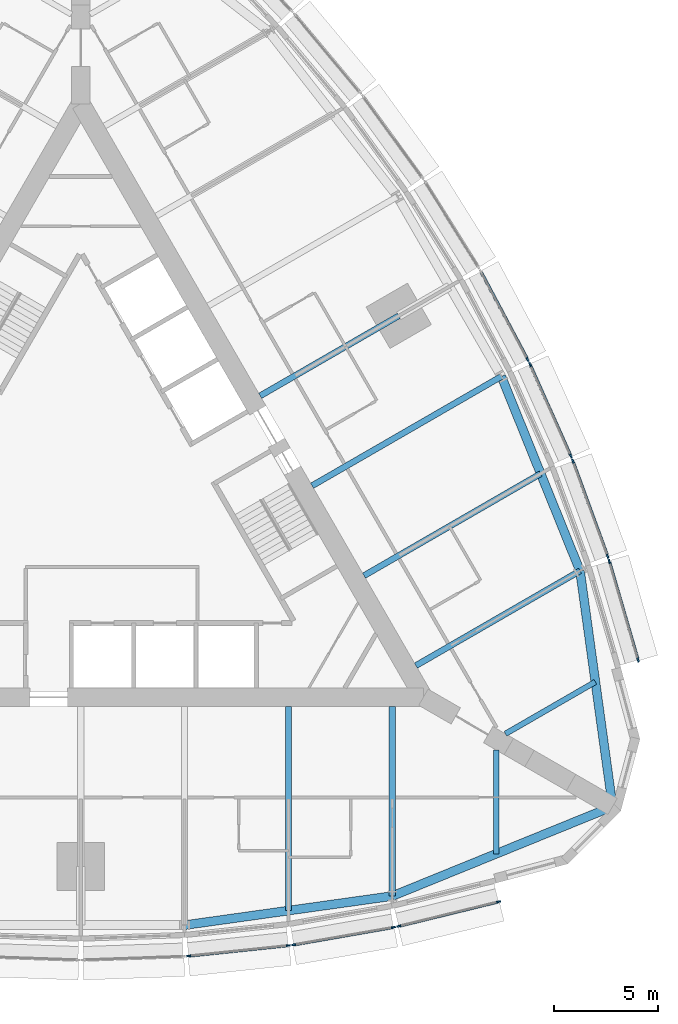
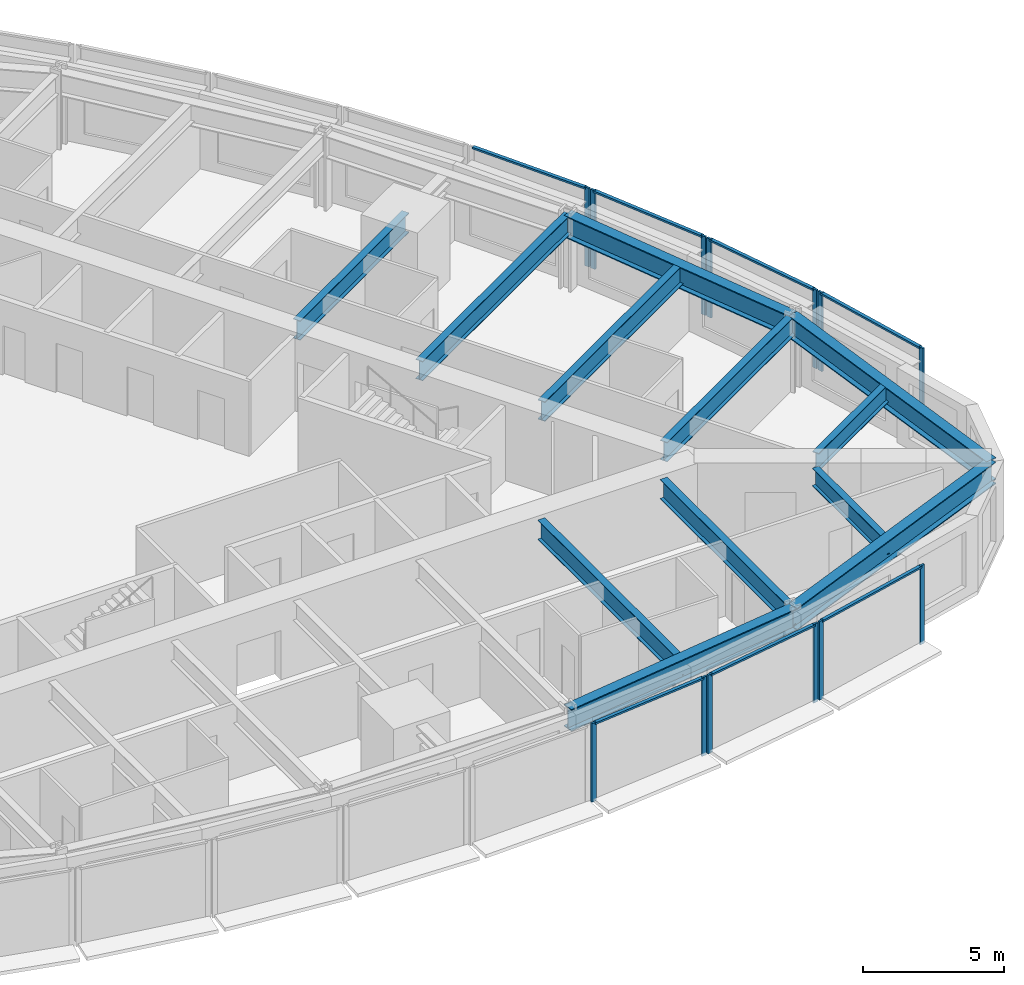
# One storey, part 3 of 14: 20 members, 12 beams, 7 elements without a shape of their own.
"""IFC4 building model written with IfcOpenShell, lengths in metres."""

import ifcopenshell
import ifcopenshell.guid

model = None  # the IFC model being written
_history = None  # IfcOwnerHistory: only IFC2X3 demands one
_inside = {}  # id of a spatial element -> (the spatial element, [elements in it])
_under = {}  # id of a project, library or spatial element -> (it, [spatial elements below it])
_declared = {}  # id of a project -> (the project, [libraries it declares])
_typed = {}  # id of a type object -> (the type object, [elements of that type])
_made_of = {}  # id of a material, layer set ... -> (it, [elements and type objects made of it])


def new_model(schema):
    """Start an empty IFC model of exactly this schema.

    Asked for "IFC4X3", IfcOpenShell would pick the latest addendum, in which some entities
    have other attributes; the version numbers below select the first issue.
    IFC2X3 requires an IfcOwnerHistory on every rooted entity: one is made here for all.
    """
    global model, _history
    if schema == "IFC4X3":
        model = ifcopenshell.file(schema_version=(4, 3, 0, 0))
    else:
        model = ifcopenshell.file(schema=schema)
    _inside.clear()
    _under.clear()
    _declared.clear()
    _typed.clear()
    _made_of.clear()
    _history = None
    if model.schema == "IFC2X3":
        org = make("IfcOrganization", Name="unknown")
        user = make(
            "IfcPersonAndOrganization",
            ThePerson=make("IfcPerson", FamilyName="unknown"),
            TheOrganization=org,
        )
        app = make(
            "IfcApplication",
            ApplicationDeveloper=org,
            Version="unknown",
            ApplicationFullName="unknown",
            ApplicationIdentifier="unknown",
        )
        _history = make(
            "IfcOwnerHistory",
            OwningUser=user,
            OwningApplication=app,
            ChangeAction="ADDED",
            CreationDate=0,
        )
    return model


def make(cls, **values):
    """One entity of the class cls with the attributes given. An attribute that is None is left unset."""
    return model.create_entity(
        cls, **{name: value for name, value in values.items() if value is not None}
    )


def rooted(cls, **values):
    """An entity with a GlobalId (a new one), such as an element, a storey or a relation."""
    return make(cls, GlobalId=ifcopenshell.guid.new(), OwnerHistory=_history, **values)


def si_unit(unit_type, name, prefix=None):
    """IfcSIUnit, for example si_unit("LENGTHUNIT", "METRE", prefix="MILLI")."""
    return make("IfcSIUnit", UnitType=unit_type, Prefix=prefix, Name=name)


def assignment(units):
    """IfcUnitAssignment: the units of a project."""
    return None if units is None else make("IfcUnitAssignment", Units=units)


def point(xyz):
    """IfcCartesianPoint."""
    return None if xyz is None else make("IfcCartesianPoint", Coordinates=xyz)


def direction(xyz):
    """IfcDirection."""
    return None if xyz is None else make("IfcDirection", DirectionRatios=xyz)


def frame(location, z_axis=None, x_axis=None):
    """IfcAxis2Placement3D, a coordinate frame: its origin and axes. An axis left out is left unset."""
    return make(
        "IfcAxis2Placement3D",
        Location=point(location),
        Axis=direction(z_axis),
        RefDirection=direction(x_axis),
    )


def frame_2d(location, x_axis=None):
    """IfcAxis2Placement2D, a coordinate frame in the plane: its origin and x axis."""
    return make(
        "IfcAxis2Placement2D", Location=point(location), RefDirection=direction(x_axis)
    )


def origin():
    """The frame at (0, 0, 0) with its axes left unset."""
    return frame((0.0, 0.0, 0.0))


def origin_2d():
    """The frame at (0, 0) in the plane with its x axis left unset."""
    return frame_2d((0.0, 0.0))


def place(relative_to, where):
    """IfcLocalPlacement: puts the frame where relative to a parent placement (None: the world)."""
    return make(
        "IfcLocalPlacement", PlacementRelTo=relative_to, RelativePlacement=where
    )


def context(
    kind, dimensions, precision=None, world=None, true_north=None, identifier=None
):
    """IfcGeometricRepresentationContext, for example the 3D "Model" context."""
    return make(
        "IfcGeometricRepresentationContext",
        ContextIdentifier=identifier,
        ContextType=kind,
        CoordinateSpaceDimension=dimensions,
        Precision=precision,
        WorldCoordinateSystem=world,
        TrueNorth=true_north,
    )


def subcontext(parent, identifier, kind, view, scale=None):
    """IfcGeometricRepresentationSubContext, for example "Body" below "Model"."""
    return make(
        "IfcGeometricRepresentationSubContext",
        ContextIdentifier=identifier,
        ContextType=kind,
        ParentContext=parent,
        TargetScale=scale,
        TargetView=view,
    )


def project(units=None, contexts=None):
    """IfcProject with its units and contexts."""
    return rooted(
        "IfcProject",
        Name="project",
        RepresentationContexts=contexts,
        UnitsInContext=assignment(units),
    )


def spatial(cls, under=None, at=None, **own):
    """A site, building, storey or space (cls), placed at a placement, below another one or the project."""
    s = rooted(cls, ObjectPlacement=at, **own)
    if under is not None:
        _under.setdefault(under.id(), (under, []))[1].append(s)
    return s


def profile(cls, at=None, kind="AREA", **sizes):
    """A parametric profile (cls). Its sizes go by their IFC names, for example OverallWidth=200.0."""
    return make(cls, ProfileType=kind, Position=at, **sizes)


def rectangle(**sizes):
    """IfcRectangleProfileDef."""
    return profile("IfcRectangleProfileDef", **sizes)


def i_section(**sizes):
    """IfcIShapeProfileDef."""
    return profile("IfcIShapeProfileDef", **sizes)


def extrude(swept, where, along, depth):
    """IfcExtrudedAreaSolid: the profile swept, set in the frame where, extruded along a direction by depth."""
    return make(
        "IfcExtrudedAreaSolid",
        SweptArea=swept,
        Position=where,
        ExtrudedDirection=direction(along),
        Depth=depth,
    )


def shape(context_of_items, identifier, shape_type, items):
    """IfcShapeRepresentation: the items that make up one representation, for example the "Body"."""
    return make(
        "IfcShapeRepresentation",
        ContextOfItems=context_of_items,
        RepresentationIdentifier=identifier,
        RepresentationType=shape_type,
        Items=items,
    )


def material(Name=None, Category=None):
    """IfcMaterial."""
    return make("IfcMaterial", Name=Name, Category=Category)


def material_profile(
    of_material, cross_section, Name=None, Category=None, Priority=None
):
    """IfcMaterialProfile: a cross section and its material."""
    return make(
        "IfcMaterialProfile",
        Name=Name,
        Material=of_material,
        Profile=cross_section,
        Priority=Priority,
        Category=Category,
    )


def profile_set(profiles, Name=None, composite=None):
    """IfcMaterialProfileSet."""
    return make(
        "IfcMaterialProfileSet",
        Name=Name,
        MaterialProfiles=profiles,
        CompositeProfile=composite,
    )


def made_of(thing, what):
    """Note that an element or type object is made of a material, layer set ...; save() writes the relation."""
    if what is not None:
        _made_of.setdefault(what.id(), (what, []))[1].append(thing)
    return thing


def type_object(cls, material=None, **own):
    """A type object (cls), such as IfcWallType, which elements share."""
    return made_of(rooted(cls, **own), material)


def element(
    cls,
    number,
    at=None,
    inside=None,
    cuts=None,
    type_object=None,
    material=None,
    context=None,
    identifier="Body",
    shape_type=None,
    held_by="IfcProductDefinitionShape",
    body=None,
    shapes=None,
    **own,
):
    """One element of the class cls, such as IfcWall. Its Tag is "e" and its number.

    at: its placement. inside: the storey or other place that contains it. cuts: it is an
    opening in that element (IfcRelVoidsElement). A single representation is given by context,
    identifier, shape_type and body (its items); several are given by shapes. held_by: the class
    of the entity that holds the representations. save() writes the other relations.
    """
    e = rooted(cls, Tag="e%d" % number, ObjectPlacement=at, **own)
    if body is not None:
        shapes = [shape(context, identifier, shape_type, body)]
    if shapes is not None:
        e.Representation = make(held_by, Representations=shapes)
    if inside is not None:
        _inside.setdefault(inside.id(), (inside, []))[1].append(e)
    if cuts is not None:
        rooted(
            "IfcRelVoidsElement", RelatingBuildingElement=cuts, RelatedOpeningElement=e
        )
    if type_object is not None:
        _typed.setdefault(type_object.id(), (type_object, []))[1].append(e)
    return made_of(e, material)


def aggregate(whole, parts):
    """IfcRelAggregates: a whole, such as a stair, and the parts it consists of."""
    return rooted("IfcRelAggregates", RelatingObject=whole, RelatedObjects=parts)


def save(model, path):
    """Write the relations noted so far, then the file.

    IfcRelAggregates (storeys below a building ...), IfcRelContainedInSpatialStructure (elements
    in a storey), IfcRelDefinesByType, IfcRelAssociatesMaterial and IfcRelDeclares: one each for
    every whole, place, type object, material and project.
    """
    for whole, parts in _under.values():
        aggregate(whole, parts)
    for where, things in _inside.values():
        rooted(
            "IfcRelContainedInSpatialStructure",
            RelatedElements=things,
            RelatingStructure=where,
        )
    for kind, things in _typed.values():
        rooted("IfcRelDefinesByType", RelatedObjects=things, RelatingType=kind)
    for what, things in _made_of.values():
        rooted("IfcRelAssociatesMaterial", RelatedObjects=things, RelatingMaterial=what)
    for by, libraries in _declared.values():
        rooted("IfcRelDeclares", RelatingContext=by, RelatedDefinitions=libraries)
    model.write(path)


model = new_model("IFC4")

# Units and contexts
model_context = context("Model", 3, precision=1e-05, world=origin(), true_north=direction((0.0, 1.0)))
body_context = subcontext(model_context, "Body", "Model", "MODEL_VIEW")
ifc_project = project(units=[si_unit("LENGTHUNIT", "METRE"), si_unit("AREAUNIT", "SQUARE_METRE"), si_unit("VOLUMEUNIT", "CUBIC_METRE"), si_unit("PLANEANGLEUNIT", "RADIAN"), si_unit("MASSUNIT", "GRAM", prefix="KILO")], contexts=[model_context])

# Site, building, storey
site_placement = place(None, origin())
site = spatial("IfcSite", under=ifc_project, at=site_placement, CompositionType="ELEMENT")
building_placement = place(site_placement, origin())
building = spatial("IfcBuilding", under=site, at=building_placement, Name="Trikona Tower", CompositionType="ELEMENT")
storey_placement = place(building_placement, frame((0.0, 0.0, 162.300048828125)))
storey = spatial("IfcBuildingStorey", under=building, at=storey_placement, Name="L43", CompositionType="ELEMENT", Elevation=162.300048828125)

# Curtain wall, members
ifc_material_1 = material(Name="Aluminium curtain wall system", Category="aluminium")
curtain_wall_type = type_object("IfcCurtainWallType", Name="Curtain wall DS2", PredefinedType="NOTDEFINED", material=ifc_material_1)
curtain_wall_1_placement = place(storey_placement, origin())
curtain_wall_1 = element("IfcCurtainWall", 1, at=curtain_wall_1_placement, inside=storey, type_object=curtain_wall_type, Name="Curtain wall DS2 L43", PredefinedType="NOTDEFINED")
ifc_material_2 = material(Name="Aluminium mullion, pale anodised", Category="aluminium")
ifc_material_profile_1 = material_profile(ifc_material_2, rectangle(XDim=0.080078125, YDim=0.199951171875, at=origin_2d()), Name="MUL-DS2")
ifc_profile_set_1 = profile_set([ifc_material_profile_1], Name="Aluminium mullion, pale anodised")
member_type_1 = type_object("IfcMemberType", Name="Mullion DS2 80x200", PredefinedType="MULLION", material=ifc_profile_set_1)
member_1_placement = place(storey_placement, frame((5.193359375, -21.98486328125, 0.0), z_axis=(0.0, 0.0, 1.0), x_axis=(-0.104433387357, 0.994531883654, 0.0)))
member_1 = element("IfcMember", 2, at=member_1_placement, type_object=member_type_1, Name="CW-DS2 mullion 1", PredefinedType="MULLION", context=body_context, shape_type="SweptSolid", body=[
    extrude(rectangle(XDim=0.080078125, YDim=0.199951171875, at=origin_2d()), origin(), (0.0, 0.0, 1.0), 3.39990234375),
])
member_2_placement = place(storey_placement, frame((9.99462890625, -21.480712890625, 0.0), z_axis=(0.0, 0.0, 1.0), x_axis=(-0.104433387357, 0.994531883654, 0.0)))
member_2 = element("IfcMember", 3, at=member_2_placement, type_object=member_type_1, Name="CW-DS2 mullion 2", PredefinedType="MULLION", context=body_context, shape_type="SweptSolid", body=[
    extrude(rectangle(XDim=0.080078125, YDim=0.199951171875, at=origin_2d()), origin(), (0.0, 0.0, 1.0), 3.39990234375),
])

curtain_wall_2_placement = place(storey_placement, origin())
curtain_wall_2 = element("IfcCurtainWall", 4, at=curtain_wall_2_placement, inside=storey, type_object=curtain_wall_type, Name="Curtain wall DS2 L43", PredefinedType="NOTDEFINED")
member_3_placement = place(storey_placement, frame((10.253662109375, -21.444580078125, 0.0), z_axis=(0.0, 0.0, 1.0), x_axis=(-0.17237739505, 0.985030981074, 0.0)))
member_3 = element("IfcMember", 5, at=member_3_placement, type_object=member_type_1, Name="CW-DS2 mullion 1", PredefinedType="MULLION", context=body_context, shape_type="SweptSolid", body=[
    extrude(rectangle(XDim=0.080078125, YDim=0.199951171875, at=origin_2d()), origin(), (0.0, 0.0, 1.0), 3.39990234375),
])
member_4_placement = place(storey_placement, frame((15.056640625, -20.60400390625, 0.0), z_axis=(0.0, 0.0, 1.0), x_axis=(-0.17237739505, 0.985030981074, 0.0)))
member_4 = element("IfcMember", 6, at=member_4_placement, type_object=member_type_1, Name="CW-DS2 mullion 2", PredefinedType="MULLION", context=body_context, shape_type="SweptSolid", body=[
    extrude(rectangle(XDim=0.080078125, YDim=0.199951171875, at=origin_2d()), origin(), (0.0, 0.0, 1.0), 3.39990234375),
])

curtain_wall_3_placement = place(storey_placement, origin())
curtain_wall_3 = element("IfcCurtainWall", 7, at=curtain_wall_3_placement, inside=storey, type_object=curtain_wall_type, Name="Curtain wall DS2 L43", PredefinedType="NOTDEFINED")
member_5_placement = place(storey_placement, frame((15.311279296875, -20.550537109375, 0.0), z_axis=(0.0, 0.0, 1.0), x_axis=(-0.237970204243, 0.971272455026, 0.0)))
member_5 = element("IfcMember", 8, at=member_5_placement, type_object=member_type_1, Name="CW-DS2 mullion 1", PredefinedType="MULLION", context=body_context, shape_type="SweptSolid", body=[
    extrude(rectangle(XDim=0.080078125, YDim=0.199951171875, at=origin_2d()), origin(), (0.0, 0.0, 1.0), 3.39990234375),
])
member_6_placement = place(storey_placement, frame((20.116943359375, -19.373046875, 0.0), z_axis=(0.0, 0.0, 1.0), x_axis=(-0.237970204243, 0.971272455026, 0.0)))
member_6 = element("IfcMember", 9, at=member_6_placement, type_object=member_type_1, Name="CW-DS2 mullion 2", PredefinedType="MULLION", context=body_context, shape_type="SweptSolid", body=[
    extrude(rectangle(XDim=0.080078125, YDim=0.199951171875, at=origin_2d()), origin(), (0.0, 0.0, 1.0), 3.39990234375),
])

curtain_wall_4_placement = place(storey_placement, origin())
curtain_wall_4 = element("IfcCurtainWall", 10, at=curtain_wall_4_placement, inside=storey, type_object=curtain_wall_type, Name="Curtain wall DS2 L43", PredefinedType="NOTDEFINED")
member_7_placement = place(storey_placement, frame((26.836181640625, -7.7353515625, 0.0), z_axis=(0.0, 0.0, 1.0), x_axis=(-0.96013310152, -0.279543247757, 0.0)))
member_7 = element("IfcMember", 11, at=member_7_placement, type_object=member_type_1, Name="CW-DS2 mullion 1", PredefinedType="MULLION", context=body_context, shape_type="SweptSolid", body=[
    extrude(rectangle(XDim=0.080078125, YDim=0.199951171875, at=origin_2d()), origin(), (0.0, 0.0, 1.0), 3.39990234375),
])
member_8_placement = place(storey_placement, frame((25.452880859375, -2.984619140625, 0.0), z_axis=(0.0, 0.0, 1.0), x_axis=(-0.96013310152, -0.279543247757, 0.0)))
member_8 = element("IfcMember", 12, at=member_8_placement, type_object=member_type_1, Name="CW-DS2 mullion 2", PredefinedType="MULLION", context=body_context, shape_type="SweptSolid", body=[
    extrude(rectangle(XDim=0.080078125, YDim=0.199951171875, at=origin_2d()), origin(), (0.0, 0.0, 1.0), 3.39990234375),
])

curtain_wall_5_placement = place(storey_placement, origin())
curtain_wall_5 = element("IfcCurtainWall", 13, at=curtain_wall_5_placement, inside=storey, type_object=curtain_wall_type, Name="Curtain wall DS2 L43", PredefinedType="NOTDEFINED")
member_9_placement = place(storey_placement, frame((25.371826171875, -2.737548828125, 0.0), z_axis=(0.0, 0.0, 1.0), x_axis=(-0.939253790978, -0.343223420143, 0.0)))
member_9 = element("IfcMember", 14, at=member_9_placement, type_object=member_type_1, Name="CW-DS2 mullion 1", PredefinedType="MULLION", context=body_context, shape_type="SweptSolid", body=[
    extrude(rectangle(XDim=0.080078125, YDim=0.199951171875, at=origin_2d()), origin(), (0.0, 0.0, 1.0), 3.39990234375),
])
member_10_placement = place(storey_placement, frame((23.6982421875, 1.84228515625, 0.0), z_axis=(0.0, 0.0, 1.0), x_axis=(-0.939253790978, -0.343223420143, 0.0)))
member_10 = element("IfcMember", 15, at=member_10_placement, type_object=member_type_1, Name="CW-DS2 mullion 2", PredefinedType="MULLION", context=body_context, shape_type="SweptSolid", body=[
    extrude(rectangle(XDim=0.080078125, YDim=0.199951171875, at=origin_2d()), origin(), (0.0, 0.0, 1.0), 3.39990234375),
])

curtain_wall_6_placement = place(storey_placement, origin())
curtain_wall_6 = element("IfcCurtainWall", 16, at=curtain_wall_6_placement, inside=storey, type_object=curtain_wall_type, Name="Curtain wall DS2 L43", PredefinedType="NOTDEFINED")
member_11_placement = place(storey_placement, frame((23.60009765625, 2.0849609375, 0.0), z_axis=(0.0, 0.0, 1.0), x_axis=(-0.913501208767, -0.406836013132, 0.0)))
member_11 = element("IfcMember", 17, at=member_11_placement, type_object=member_type_1, Name="CW-DS2 mullion 1", PredefinedType="MULLION", context=body_context, shape_type="SweptSolid", body=[
    extrude(rectangle(XDim=0.080078125, YDim=0.199951171875, at=origin_2d()), origin(), (0.0, 0.0, 1.0), 3.39990234375),
])
member_12_placement = place(storey_placement, frame((21.63623046875, 6.494873046875, 0.0), z_axis=(0.0, 0.0, 1.0), x_axis=(-0.913501208767, -0.406836013132, 0.0)))
member_12 = element("IfcMember", 18, at=member_12_placement, type_object=member_type_1, Name="CW-DS2 mullion 2", PredefinedType="MULLION", context=body_context, shape_type="SweptSolid", body=[
    extrude(rectangle(XDim=0.080078125, YDim=0.199951171875, at=origin_2d()), origin(), (0.0, 0.0, 1.0), 3.39990234375),
])

# Curtain wall, member
curtain_wall_7_placement = place(storey_placement, origin())
curtain_wall_7 = element("IfcCurtainWall", 19, at=curtain_wall_7_placement, inside=storey, type_object=curtain_wall_type, Name="Curtain wall DS2 L43", PredefinedType="NOTDEFINED")
member_13_placement = place(storey_placement, frame((21.52099609375, 6.730712890625, 0.0), z_axis=(0.0, 0.0, 1.0), x_axis=(-0.882996107343, -0.469380308937, 0.0)))
member_13 = element("IfcMember", 20, at=member_13_placement, type_object=member_type_1, Name="CW-DS2 mullion 1", PredefinedType="MULLION", context=body_context, shape_type="SweptSolid", body=[
    extrude(rectangle(XDim=0.080078125, YDim=0.199951171875, at=origin_2d()), origin(), (0.0, 0.0, 1.0), 3.39990234375),
])

# Beams
ifc_material_3 = material(Name="Steel ASTM A992 Grade 50", Category="steel")
ifc_material_profile_2 = material_profile(ifc_material_3, i_section(OverallWidth=0.2666015625, OverallDepth=0.76953125, WebThickness=0.015625, FlangeThickness=0.025390625, at=origin_2d()), Name="W30X132")
ifc_profile_set_2 = profile_set([ifc_material_profile_2], Name="Steel ASTM A992 Grade 50")
beam_type_1 = type_object("IfcBeamType", Name="Steel beam W30x132 (wedge)", PredefinedType="BEAM", material=ifc_profile_set_2)
beam_1_placement = place(storey_placement, frame((20.0, -12.066650390625, 2.85009765625), z_axis=(0.0, -1.0, 0.0), x_axis=(1.0, 0.0, 0.0)))
element("IfcBeam", 21, at=beam_1_placement, inside=storey, type_object=beam_type_1, Name="Floor beam L44 F1 u20", PredefinedType="BEAM", context=body_context, shape_type="SweptSolid", body=[
    extrude(i_section(OverallWidth=0.2666015625, OverallDepth=0.76953125, WebThickness=0.015625, FlangeThickness=0.025390625, at=origin_2d()), origin(), (0.0, 0.0, 1.0), 5.00048828125),
])
beam_2_placement = place(storey_placement, frame((20.449951171875, -11.287109375, 2.85009765625), z_axis=(0.866038434829, 0.49997742889, 0.0), x_axis=(-0.49997742889, 0.866038434829, 0.0)))
element("IfcBeam", 22, at=beam_2_placement, inside=storey, type_object=beam_type_1, Name="Floor beam L44 F2 u-20", PredefinedType="BEAM", context=body_context, shape_type="SweptSolid", body=[
    extrude(i_section(OverallWidth=0.2666015625, OverallDepth=0.76953125, WebThickness=0.015625, FlangeThickness=0.025390625, at=origin_2d()), origin(), (0.0, 0.0, 1.0), 5.000732421875),
])
ifc_material_4 = material(Name="Steel ASTM A992 Grade 50", Category="steel")
ifc_material_profile_3 = material_profile(ifc_material_4, i_section(OverallWidth=0.2919921875, OverallDepth=0.845703125, WebThickness=0.015380859375, FlangeThickness=0.0244140625, at=origin_2d()), Name="W33X141")
ifc_profile_set_3 = profile_set([ifc_material_profile_3], Name="Steel ASTM A992 Grade 50")
beam_type_2 = type_object("IfcBeamType", Name="Steel beam W33x141 (radial typ)", PredefinedType="BEAM", material=ifc_profile_set_3)
beam_3_placement = place(storey_placement, frame((10.0, -9.976318359375, 2.81201171875), z_axis=(0.0, -1.0, 0.0), x_axis=(1.0, 0.0, 0.0)))
element("IfcBeam", 23, at=beam_3_placement, inside=storey, type_object=beam_type_2, Name="Floor beam L44 F1 u10", PredefinedType="BEAM", context=body_context, shape_type="SweptSolid", body=[
    extrude(i_section(OverallWidth=0.2919921875, OverallDepth=0.845703125, WebThickness=0.015380859375, FlangeThickness=0.0244140625, at=origin_2d()), origin(), (0.0, 0.0, 1.0), 9.823974609375),
])
beam_4_placement = place(storey_placement, frame((15.0, -9.976318359375, 2.81201171875), z_axis=(0.0, -1.0, 0.0), x_axis=(1.0, 0.0, 0.0)))
element("IfcBeam", 24, at=beam_4_placement, inside=storey, type_object=beam_type_2, Name="Floor beam L44 F1 u15", PredefinedType="BEAM", context=body_context, shape_type="SweptSolid", body=[
    extrude(i_section(OverallWidth=0.2919921875, OverallDepth=0.845703125, WebThickness=0.015380859375, FlangeThickness=0.0244140625, at=origin_2d()), origin(), (0.0, 0.0, 1.0), 9.123779296875),
])
beam_5_placement = place(storey_placement, frame((16.1396484375, -8.002197265625, 2.81201171875), z_axis=(0.866024725532, 0.500001174766, 0.0), x_axis=(-0.500001174766, 0.866024725532, 0.0)))
element("IfcBeam", 25, at=beam_5_placement, inside=storey, type_object=beam_type_2, Name="Floor beam L44 F2 u-15", PredefinedType="BEAM", context=body_context, shape_type="SweptSolid", body=[
    extrude(i_section(OverallWidth=0.2919921875, OverallDepth=0.845703125, WebThickness=0.015380859375, FlangeThickness=0.0244140625, at=origin_2d()), origin(), (0.0, 0.0, 1.0), 9.1240234375),
])
beam_6_placement = place(storey_placement, frame((13.6396484375, -3.672119140625, 2.81201171875), z_axis=(0.866020046725, 0.500009278584, 0.0), x_axis=(-0.500009278584, 0.866020046725, 0.0)))
element("IfcBeam", 26, at=beam_6_placement, inside=storey, type_object=beam_type_2, Name="Floor beam L44 F2 u-10", PredefinedType="BEAM", context=body_context, shape_type="SweptSolid", body=[
    extrude(i_section(OverallWidth=0.2919921875, OverallDepth=0.845703125, WebThickness=0.015380859375, FlangeThickness=0.0244140625, at=origin_2d()), origin(), (0.0, 0.0, 1.0), 9.823974609375),
])
beam_7_placement = place(storey_placement, frame((11.1396484375, 0.657958984375, 2.81201171875), z_axis=(0.866026035623, 0.499998905622, 0.0), x_axis=(-0.499998905622, 0.866026035623, 0.0)))
element("IfcBeam", 27, at=beam_7_placement, inside=storey, type_object=beam_type_2, Name="Floor beam L44 F2 u-5", PredefinedType="BEAM", context=body_context, shape_type="SweptSolid", body=[
    extrude(i_section(OverallWidth=0.2919921875, OverallDepth=0.845703125, WebThickness=0.015380859375, FlangeThickness=0.0244140625, at=origin_2d()), origin(), (0.0, 0.0, 1.0), 10.52392578125),
])
beam_8_placement = place(storey_placement, frame((8.6396484375, 4.988037109375, 2.81201171875), z_axis=(0.866017246294, 0.500014128921, 0.0), x_axis=(-0.500014128921, 0.866017246294, 0.0)))
element("IfcBeam", 28, at=beam_8_placement, inside=storey, type_object=beam_type_2, Name="Floor beam L44 F2 u0", PredefinedType="BEAM", context=body_context, shape_type="SweptSolid", body=[
    extrude(i_section(OverallWidth=0.2919921875, OverallDepth=0.845703125, WebThickness=0.015380859375, FlangeThickness=0.0244140625, at=origin_2d()), origin(), (0.0, 0.0, 1.0), 7.704345703125),
])
ifc_material_5 = material(Name="Steel ASTM A992 Grade 50", Category="steel")
ifc_material_profile_4 = material_profile(ifc_material_5, i_section(OverallWidth=0.424072265625, OverallDepth=0.947509765625, WebThickness=0.02392578125, FlangeThickness=0.042724609375, at=origin_2d()), Name="W36X302")
ifc_profile_set_4 = profile_set([ifc_material_profile_4], Name="Steel ASTM A992 Grade 50")
beam_type_3 = type_object("IfcBeamType", Name="Steel beam W36x302 (spandrel)", PredefinedType="SPANDREL", material=ifc_profile_set_4)
beam_9_placement = place(storey_placement, frame((5.0, -20.500244140625, 2.76123046875), z_axis=(0.990339754644, 0.13866207258, 0.0), x_axis=(-0.13866207258, 0.990339754644, 0.0)))
element("IfcBeam", 29, at=beam_9_placement, inside=storey, type_object=beam_type_3, Name="Spandrel beam L44 F1-4", PredefinedType="SPANDREL", context=body_context, shape_type="SweptSolid", body=[
    extrude(i_section(OverallWidth=0.424072265625, OverallDepth=0.947509765625, WebThickness=0.02392578125, FlangeThickness=0.042724609375, at=origin_2d()), origin(), (0.0, 0.0, 1.0), 10.09765625),
])
for number, where, z_axis, x_axis, name in (
    (30, (15.0, -19.10009765625, 2.76123046875), (0.926359695662, 0.376640032728, 0.0), (-0.376640032728, 0.926359695662, 0.0), "Spandrel beam L44 F1-5"),
    (31, (25.6103515625, -14.7861328125, 2.76123046875), (-0.136991535842, 0.990572218017, 0.0), (-0.990572218017, -0.136991535842, 0.0), "Spandrel beam L44 F2-1"),
):
    element("IfcBeam", number, at=place(storey_placement, frame(where, z_axis=z_axis, x_axis=x_axis)), inside=storey, type_object=beam_type_3, Name=name, PredefinedType="SPANDREL", context=body_context, shape_type="SweptSolid", body=[
        extrude(i_section(OverallWidth=0.424072265625, OverallDepth=0.947509765625, WebThickness=0.02392578125, FlangeThickness=0.042724609375, at=origin_2d()), origin(), (0.0, 0.0, 1.0), 11.453857421875),
    ])
beam_10_placement = place(storey_placement, frame((24.041259765625, -3.440185546875, 2.76123046875), z_axis=(-0.375106193787, 0.926981846307, 0.0), x_axis=(-0.926981846307, -0.375106193787, 0.0)))
element("IfcBeam", 32, at=beam_10_placement, inside=storey, type_object=beam_type_3, Name="Spandrel beam L44 F2-2", PredefinedType="SPANDREL", context=body_context, shape_type="SweptSolid", body=[
    extrude(i_section(OverallWidth=0.424072265625, OverallDepth=0.947509765625, WebThickness=0.02392578125, FlangeThickness=0.042724609375, at=origin_2d()), origin(), (0.0, 0.0, 1.0), 10.097412109375),
])

# Member
ifc_material_6 = material(Name="Aluminium transom, pale anodised", Category="aluminium")
ifc_material_profile_5 = material_profile(ifc_material_6, rectangle(XDim=0.139892578125, YDim=0.080078125, at=origin_2d()), Name="TRN-DS2")
ifc_profile_set_5 = profile_set([ifc_material_profile_5], Name="Aluminium transom, pale anodised")
member_type_2 = type_object("IfcMemberType", Name="Transom DS2 80x140", PredefinedType="USERDEFINED", material=ifc_profile_set_5)
member_14_placement = place(storey_placement, frame((5.233154296875, -21.980712890625, 3.35986328125), z_axis=(0.99453106441, 0.104441188822, 0.0), x_axis=(-0.104441188822, 0.99453106441, 0.0)))
member_14 = element("IfcMember", 33, at=member_14_placement, type_object=member_type_2, Name="CW-DS2 transom 1.1", ObjectType="TRANSOM", PredefinedType="USERDEFINED", context=body_context, shape_type="SweptSolid", body=[
    extrude(rectangle(XDim=0.139892578125, YDim=0.080078125, at=origin_2d()), origin(), (0.0, 0.0, 1.0), 4.74755859375),
])

aggregate(curtain_wall_1, [member_1, member_2, member_14])

member_15_placement = place(storey_placement, frame((10.29296875, -21.4375, 3.35986328125), z_axis=(0.98503262804, 0.172367983387, 0.0), x_axis=(-0.172367983387, 0.98503262804, 0.0)))
member_15 = element("IfcMember", 34, at=member_15_placement, type_object=member_type_2, Name="CW-DS2 transom 1.1", ObjectType="TRANSOM", PredefinedType="USERDEFINED", context=body_context, shape_type="SweptSolid", body=[
    extrude(rectangle(XDim=0.139892578125, YDim=0.080078125, at=origin_2d()), origin(), (0.0, 0.0, 1.0), 4.7958984375),
])

aggregate(curtain_wall_2, [member_3, member_4, member_15])

member_16_placement = place(storey_placement, frame((15.35009765625, -20.541015625, 3.35986328125), z_axis=(0.971270583303, 0.237977843528, 0.0), x_axis=(-0.237977843528, 0.971270583303, 0.0)))
member_16 = element("IfcMember", 35, at=member_16_placement, type_object=member_type_2, Name="CW-DS2 transom 1.1", ObjectType="TRANSOM", PredefinedType="USERDEFINED", context=body_context, shape_type="SweptSolid", body=[
    extrude(rectangle(XDim=0.139892578125, YDim=0.080078125, at=origin_2d()), origin(), (0.0, 0.0, 1.0), 4.867919921875),
])

aggregate(curtain_wall_3, [member_5, member_6, member_16])

member_17_placement = place(storey_placement, frame((26.824951171875, -7.69677734375, 3.35986328125), z_axis=(-0.279566628153, 0.960126293996, 0.0), x_axis=(-0.960126293996, -0.279566628153, 0.0)))
member_17 = element("IfcMember", 36, at=member_17_placement, type_object=member_type_2, Name="CW-DS2 transom 1.1", ObjectType="TRANSOM", PredefinedType="USERDEFINED", context=body_context, shape_type="SweptSolid", body=[
    extrude(rectangle(XDim=0.139892578125, YDim=0.080078125, at=origin_2d()), origin(), (0.0, 0.0, 1.0), 4.86767578125),
])

aggregate(curtain_wall_4, [member_7, member_8, member_17])

member_18_placement = place(storey_placement, frame((25.358154296875, -2.699951171875, 3.35986328125), z_axis=(-0.343205907674, 0.939260190223, 0.0), x_axis=(-0.939260190223, -0.343205907674, 0.0)))
member_18 = element("IfcMember", 37, at=member_18_placement, type_object=member_type_2, Name="CW-DS2 transom 1.1", ObjectType="TRANSOM", PredefinedType="USERDEFINED", context=body_context, shape_type="SweptSolid", body=[
    extrude(rectangle(XDim=0.139892578125, YDim=0.080078125, at=origin_2d()), origin(), (0.0, 0.0, 1.0), 4.7958984375),
])

aggregate(curtain_wall_5, [member_9, member_10, member_18])

member_19_placement = place(storey_placement, frame((23.583740234375, 2.12158203125, 3.35986328125), z_axis=(-0.406839769607, 0.913499535778, 0.0), x_axis=(-0.913499535778, -0.406839769607, 0.0)))
member_19 = element("IfcMember", 38, at=member_19_placement, type_object=member_type_2, Name="CW-DS2 transom 1.1", ObjectType="TRANSOM", PredefinedType="USERDEFINED", context=body_context, shape_type="SweptSolid", body=[
    extrude(rectangle(XDim=0.139892578125, YDim=0.080078125, at=origin_2d()), origin(), (0.0, 0.0, 1.0), 4.747314453125),
])

aggregate(curtain_wall_6, [member_11, member_12, member_19])

member_20_placement = place(storey_placement, frame((21.502197265625, 6.76611328125, 3.35986328125), z_axis=(-0.469364343408, 0.883004594063, 0.0), x_axis=(-0.883004594063, -0.469364343408, 0.0)))
member_20 = element("IfcMember", 39, at=member_20_placement, type_object=member_type_2, Name="CW-DS2 transom 1.1", ObjectType="TRANSOM", PredefinedType="USERDEFINED", context=body_context, shape_type="SweptSolid", body=[
    extrude(rectangle(XDim=0.139892578125, YDim=0.080078125, at=origin_2d()), origin(), (0.0, 0.0, 1.0), 4.722900390625),
])

aggregate(curtain_wall_7, [member_13, member_20])

save(model, "model.ifc")
